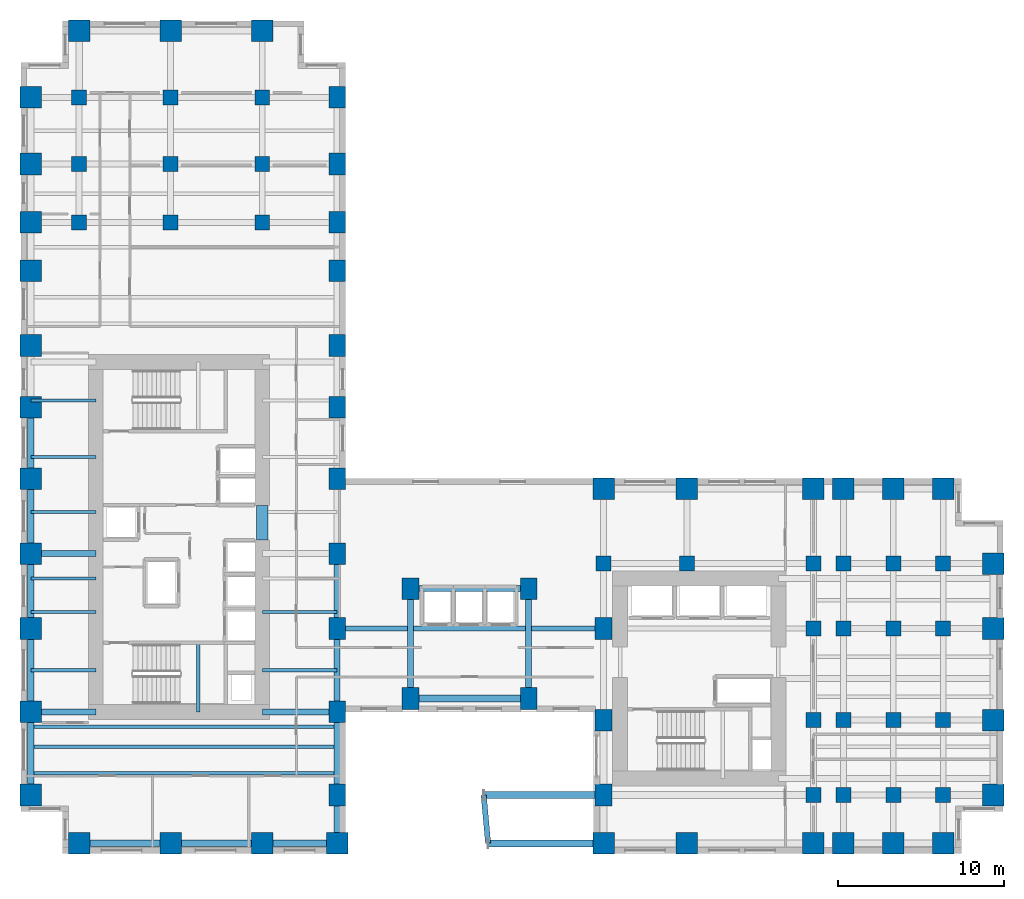
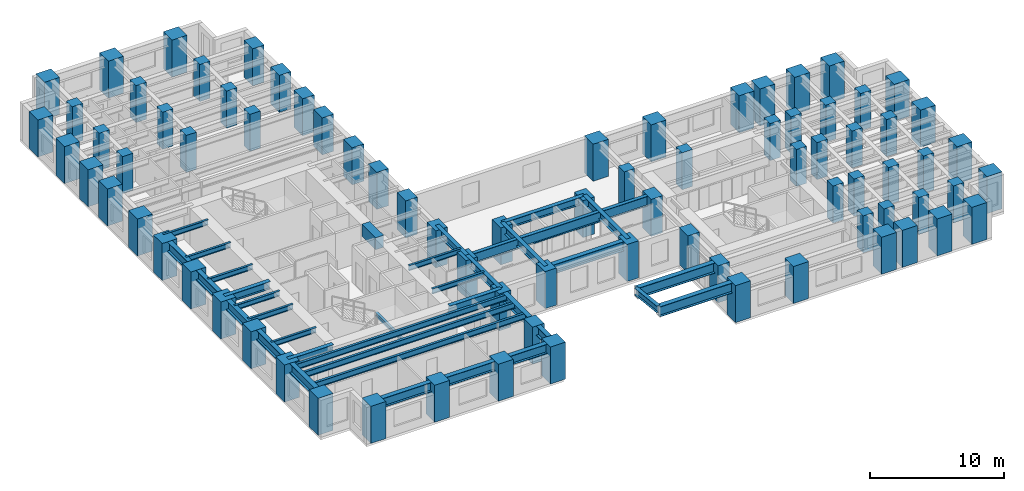
# One storey, part 1 of 14: 79 columns, 36 beams.
"""IFC4 building model written with IfcOpenShell, lengths in metres."""

import ifcopenshell
import ifcopenshell.guid

model = None  # the IFC model being written
_history = None  # IfcOwnerHistory: only IFC2X3 demands one
_inside = {}  # id of a spatial element -> (the spatial element, [elements in it])
_under = {}  # id of a project, library or spatial element -> (it, [spatial elements below it])
_declared = {}  # id of a project -> (the project, [libraries it declares])
_typed = {}  # id of a type object -> (the type object, [elements of that type])
_made_of = {}  # id of a material, layer set ... -> (it, [elements and type objects made of it])


def new_model(schema):
    """Start an empty IFC model of exactly this schema.

    Asked for "IFC4X3", IfcOpenShell would pick the latest addendum, in which some entities
    have other attributes; the version numbers below select the first issue.
    IFC2X3 requires an IfcOwnerHistory on every rooted entity: one is made here for all.
    """
    global model, _history
    if schema == "IFC4X3":
        model = ifcopenshell.file(schema_version=(4, 3, 0, 0))
    else:
        model = ifcopenshell.file(schema=schema)
    _inside.clear()
    _under.clear()
    _declared.clear()
    _typed.clear()
    _made_of.clear()
    _history = None
    if model.schema == "IFC2X3":
        org = make("IfcOrganization", Name="unknown")
        user = make(
            "IfcPersonAndOrganization",
            ThePerson=make("IfcPerson", FamilyName="unknown"),
            TheOrganization=org,
        )
        app = make(
            "IfcApplication",
            ApplicationDeveloper=org,
            Version="unknown",
            ApplicationFullName="unknown",
            ApplicationIdentifier="unknown",
        )
        _history = make(
            "IfcOwnerHistory",
            OwningUser=user,
            OwningApplication=app,
            ChangeAction="ADDED",
            CreationDate=0,
        )
    return model


def make(cls, **values):
    """One entity of the class cls with the attributes given. An attribute that is None is left unset."""
    return model.create_entity(
        cls, **{name: value for name, value in values.items() if value is not None}
    )


def rooted(cls, **values):
    """An entity with a GlobalId (a new one), such as an element, a storey or a relation."""
    return make(cls, GlobalId=ifcopenshell.guid.new(), OwnerHistory=_history, **values)


def si_unit(unit_type, name, prefix=None):
    """IfcSIUnit, for example si_unit("LENGTHUNIT", "METRE", prefix="MILLI")."""
    return make("IfcSIUnit", UnitType=unit_type, Prefix=prefix, Name=name)


def assignment(units):
    """IfcUnitAssignment: the units of a project."""
    return None if units is None else make("IfcUnitAssignment", Units=units)


def point(xyz):
    """IfcCartesianPoint."""
    return None if xyz is None else make("IfcCartesianPoint", Coordinates=xyz)


def direction(xyz):
    """IfcDirection."""
    return None if xyz is None else make("IfcDirection", DirectionRatios=xyz)


def frame(location, z_axis=None, x_axis=None):
    """IfcAxis2Placement3D, a coordinate frame: its origin and axes. An axis left out is left unset."""
    return make(
        "IfcAxis2Placement3D",
        Location=point(location),
        Axis=direction(z_axis),
        RefDirection=direction(x_axis),
    )


def frame_2d(location, x_axis=None):
    """IfcAxis2Placement2D, a coordinate frame in the plane: its origin and x axis."""
    return make(
        "IfcAxis2Placement2D", Location=point(location), RefDirection=direction(x_axis)
    )


def origin():
    """The frame at (0, 0, 0) with its axes left unset."""
    return frame((0.0, 0.0, 0.0))


def origin_2d():
    """The frame at (0, 0) in the plane with its x axis left unset."""
    return frame_2d((0.0, 0.0))


def place(relative_to, where):
    """IfcLocalPlacement: puts the frame where relative to a parent placement (None: the world)."""
    return make(
        "IfcLocalPlacement", PlacementRelTo=relative_to, RelativePlacement=where
    )


def context(
    kind, dimensions, precision=None, world=None, true_north=None, identifier=None
):
    """IfcGeometricRepresentationContext, for example the 3D "Model" context."""
    return make(
        "IfcGeometricRepresentationContext",
        ContextIdentifier=identifier,
        ContextType=kind,
        CoordinateSpaceDimension=dimensions,
        Precision=precision,
        WorldCoordinateSystem=world,
        TrueNorth=true_north,
    )


def subcontext(parent, identifier, kind, view, scale=None):
    """IfcGeometricRepresentationSubContext, for example "Body" below "Model"."""
    return make(
        "IfcGeometricRepresentationSubContext",
        ContextIdentifier=identifier,
        ContextType=kind,
        ParentContext=parent,
        TargetScale=scale,
        TargetView=view,
    )


def project(units=None, contexts=None):
    """IfcProject with its units and contexts."""
    return rooted(
        "IfcProject",
        Name="project",
        RepresentationContexts=contexts,
        UnitsInContext=assignment(units),
    )


def spatial(cls, under=None, at=None, **own):
    """A site, building, storey or space (cls), placed at a placement, below another one or the project."""
    s = rooted(cls, ObjectPlacement=at, **own)
    if under is not None:
        _under.setdefault(under.id(), (under, []))[1].append(s)
    return s


def profile(cls, at=None, kind="AREA", **sizes):
    """A parametric profile (cls). Its sizes go by their IFC names, for example OverallWidth=200.0."""
    return make(cls, ProfileType=kind, Position=at, **sizes)


def rectangle(**sizes):
    """IfcRectangleProfileDef."""
    return profile("IfcRectangleProfileDef", **sizes)


def i_section(**sizes):
    """IfcIShapeProfileDef."""
    return profile("IfcIShapeProfileDef", **sizes)


def extrude(swept, where, along, depth):
    """IfcExtrudedAreaSolid: the profile swept, set in the frame where, extruded along a direction by depth."""
    return make(
        "IfcExtrudedAreaSolid",
        SweptArea=swept,
        Position=where,
        ExtrudedDirection=direction(along),
        Depth=depth,
    )


def shape(context_of_items, identifier, shape_type, items):
    """IfcShapeRepresentation: the items that make up one representation, for example the "Body"."""
    return make(
        "IfcShapeRepresentation",
        ContextOfItems=context_of_items,
        RepresentationIdentifier=identifier,
        RepresentationType=shape_type,
        Items=items,
    )


def source(mapping_origin, context_of_items, identifier, shape_type, items):
    """IfcRepresentationMap: a shape defined once, which mapped items show again and again."""
    return make(
        "IfcRepresentationMap",
        MappingOrigin=mapping_origin,
        MappedRepresentation=shape(context_of_items, identifier, shape_type, items),
    )


def transform(
    local_origin,
    x_axis=None,
    y_axis=None,
    z_axis=None,
    scale=None,
    scale2=None,
    scale3=None,
    uniform=True,
):
    """IfcCartesianTransformationOperator3D, or its non-uniform kind. x_axis, y_axis, z_axis: its Axis1, 2, 3."""
    if uniform:
        return make(
            "IfcCartesianTransformationOperator3D",
            Axis1=direction(x_axis),
            Axis2=direction(y_axis),
            LocalOrigin=point(local_origin),
            Scale=scale,
            Axis3=direction(z_axis),
        )
    return make(
        "IfcCartesianTransformationOperator3DnonUniform",
        Axis1=direction(x_axis),
        Axis2=direction(y_axis),
        LocalOrigin=point(local_origin),
        Scale=scale,
        Axis3=direction(z_axis),
        Scale2=scale2,
        Scale3=scale3,
    )


def mapped(mapping_source, mapping_target):
    """IfcMappedItem: shows the shape of a source again, moved by a transform."""
    return make(
        "IfcMappedItem", MappingSource=mapping_source, MappingTarget=mapping_target
    )


def material(Name=None, Category=None):
    """IfcMaterial."""
    return make("IfcMaterial", Name=Name, Category=Category)


def material_profile(
    of_material, cross_section, Name=None, Category=None, Priority=None
):
    """IfcMaterialProfile: a cross section and its material."""
    return make(
        "IfcMaterialProfile",
        Name=Name,
        Material=of_material,
        Profile=cross_section,
        Priority=Priority,
        Category=Category,
    )


def profile_set(profiles, Name=None, composite=None):
    """IfcMaterialProfileSet."""
    return make(
        "IfcMaterialProfileSet",
        Name=Name,
        MaterialProfiles=profiles,
        CompositeProfile=composite,
    )


def made_of(thing, what):
    """Note that an element or type object is made of a material, layer set ...; save() writes the relation."""
    if what is not None:
        _made_of.setdefault(what.id(), (what, []))[1].append(thing)
    return thing


def type_object(cls, material=None, **own):
    """A type object (cls), such as IfcWallType, which elements share."""
    return made_of(rooted(cls, **own), material)


def element(
    cls,
    number,
    at=None,
    inside=None,
    cuts=None,
    type_object=None,
    material=None,
    context=None,
    identifier="Body",
    shape_type=None,
    held_by="IfcProductDefinitionShape",
    body=None,
    shapes=None,
    **own,
):
    """One element of the class cls, such as IfcWall. Its Tag is "e" and its number.

    at: its placement. inside: the storey or other place that contains it. cuts: it is an
    opening in that element (IfcRelVoidsElement). A single representation is given by context,
    identifier, shape_type and body (its items); several are given by shapes. held_by: the class
    of the entity that holds the representations. save() writes the other relations.
    """
    e = rooted(cls, Tag="e%d" % number, ObjectPlacement=at, **own)
    if body is not None:
        shapes = [shape(context, identifier, shape_type, body)]
    if shapes is not None:
        e.Representation = make(held_by, Representations=shapes)
    if inside is not None:
        _inside.setdefault(inside.id(), (inside, []))[1].append(e)
    if cuts is not None:
        rooted(
            "IfcRelVoidsElement", RelatingBuildingElement=cuts, RelatedOpeningElement=e
        )
    if type_object is not None:
        _typed.setdefault(type_object.id(), (type_object, []))[1].append(e)
    return made_of(e, material)


def aggregate(whole, parts):
    """IfcRelAggregates: a whole, such as a stair, and the parts it consists of."""
    return rooted("IfcRelAggregates", RelatingObject=whole, RelatedObjects=parts)


def save(model, path):
    """Write the relations noted so far, then the file.

    IfcRelAggregates (storeys below a building ...), IfcRelContainedInSpatialStructure (elements
    in a storey), IfcRelDefinesByType, IfcRelAssociatesMaterial and IfcRelDeclares: one each for
    every whole, place, type object, material and project.
    """
    for whole, parts in _under.values():
        aggregate(whole, parts)
    for where, things in _inside.values():
        rooted(
            "IfcRelContainedInSpatialStructure",
            RelatedElements=things,
            RelatingStructure=where,
        )
    for kind, things in _typed.values():
        rooted("IfcRelDefinesByType", RelatedObjects=things, RelatingType=kind)
    for what, things in _made_of.values():
        rooted("IfcRelAssociatesMaterial", RelatedObjects=things, RelatingMaterial=what)
    for by, libraries in _declared.values():
        rooted("IfcRelDeclares", RelatingContext=by, RelatedDefinitions=libraries)
    model.write(path)


model = new_model("IFC4")

# Units and contexts
model_context = context("Model", 3, precision=1e-05, world=origin(), true_north=direction((0.0, 1.0)))
body_context = subcontext(model_context, "Body", "Model", "MODEL_VIEW")
ifc_project = project(units=[si_unit("LENGTHUNIT", "METRE"), si_unit("AREAUNIT", "SQUARE_METRE"), si_unit("VOLUMEUNIT", "CUBIC_METRE"), si_unit("PLANEANGLEUNIT", "RADIAN"), si_unit("MASSUNIT", "GRAM", prefix="KILO")], contexts=[model_context])

# Site, building, storey
site_placement = place(None, origin())
site = spatial("IfcSite", under=ifc_project, at=site_placement, CompositionType="ELEMENT")
building_placement = place(site_placement, origin())
building = spatial("IfcBuilding", under=site, at=building_placement, Name="Kharzan Plaza Tower", CompositionType="ELEMENT")
storey_placement = place(building_placement, frame((0.0, 0.0, 44.10009765625)))
storey = spatial("IfcBuildingStorey", under=building, at=storey_placement, Name="L11", CompositionType="ELEMENT", Elevation=44.10009765625)

# Columns
ifc_material_1 = material(Name="Concrete C50/60", Category="concrete")
ifc_material_profile_1 = material_profile(ifc_material_1, rectangle(XDim=0.89990234375, YDim=0.89990234375, at=origin_2d()), Name="RC-IC900x900")
ifc_profile_set_1 = profile_set([ifc_material_profile_1], Name="Concrete C50/60")
column_type_1 = type_object("IfcColumnType", Name="COL-IC900", PredefinedType="COLUMN", material=ifc_profile_set_1)
shared_shape_1 = source(origin(), body_context, "Body", "SweptSolid", [
    extrude(rectangle(XDim=0.89990234375, YDim=0.89990234375, at=origin_2d()), origin(), (0.0, 0.0, 1.0), 3.3798828125),
])
for number, where, z_axis, x_axis, name in (
    (1, (47.60009765625, 13.5, 0.0), (0.0, 0.0, 1.0), (1.0, 0.0, 0.0), "L11 Structural Column TCBI-135"),
    (2, (47.60009765625, 3.5, 0.0), (0.0, 0.0, 1.0), (1.0, 0.0, 0.0), "L11 Structural Column TCBI-35"),
    (3, (47.60009765625, 8.0, 0.0), (0.0, 0.0, 1.0), (1.0, 0.0, 0.0), "L11 Structural Column TCBI-80"),
    (4, (35.0, 17.39990234375, 0.0), (0.0, 0.0, 1.0), (1.0, 0.0, 0.0), "L11 Structural Column TCBN-350-174"),
    (5, (40.0, 17.39990234375, 0.0), (0.0, 0.0, 1.0), (1.0, 0.0, 0.0), "L11 Structural Column TCBN-400-174"),
    (6, (47.60009765625, 17.39990234375, 0.0), (0.0, 0.0, 1.0), (1.0, 0.0, 0.0), "L11 Structural Column TCBN-476-174"),
    (7, (49.39990234375, 13.5, 0.0), (0.0, 0.0, 1.0), (1.0, 0.0, 0.0), "L11 Structural Column TCE-494-135"),
    (8, (49.39990234375, 17.39990234375, 0.0), (0.0, 0.0, 1.0), (1.0, 0.0, 0.0), "L11 Structural Column TCE-494-174"),
    (9, (49.39990234375, 3.5, 0.0), (0.0, 0.0, 1.0), (1.0, 0.0, 0.0), "L11 Structural Column TCE-494-35"),
    (10, (49.39990234375, 8.0, 0.0), (0.0, 0.0, 1.0), (1.0, 0.0, 0.0), "L11 Structural Column TCE-494-80"),
    (11, (52.39990234375, 13.5, 0.0), (0.0, 0.0, 1.0), (1.0, 0.0, 0.0), "L11 Structural Column TCE-524-135"),
    (12, (52.39990234375, 17.39990234375, 0.0), (0.0, 0.0, 1.0), (1.0, 0.0, 0.0), "L11 Structural Column TCE-524-174"),
    (13, (52.39990234375, 3.5, 0.0), (0.0, 0.0, 1.0), (1.0, 0.0, 0.0), "L11 Structural Column TCE-524-35"),
    (14, (52.39990234375, 8.0, 0.0), (0.0, 0.0, 1.0), (1.0, 0.0, 0.0), "L11 Structural Column TCE-524-80"),
    (15, (55.39990234375, 13.5, 0.0), (0.0, 0.0, 1.0), (1.0, 0.0, 0.0), "L11 Structural Column TCE-554-135"),
    (16, (55.39990234375, 17.39990234375, 0.0), (0.0, 0.0, 1.0), (1.0, 0.0, 0.0), "L11 Structural Column TCE-554-174"),
    (17, (55.39990234375, 3.5, 0.0), (0.0, 0.0, 1.0), (1.0, 0.0, 0.0), "L11 Structural Column TCE-554-35"),
    (18, (55.39990234375, 8.0, 0.0), (0.0, 0.0, 1.0), (1.0, 0.0, 0.0), "L11 Structural Column TCE-554-80"),
    (19, (14.5, 37.89990234375, 0.0), (0.0, 0.0, 1.0), (1.0, 0.0, 0.0), "L11 Structural Column TCN-145-379"),
    (20, (14.5, 41.39990234375, 0.0), (0.0, 0.0, 1.0), (1.0, 0.0, 0.0), "L11 Structural Column TCN-145-414"),
    (21, (14.5, 45.39990234375, 0.0), (0.0, 0.0, 1.0), (1.0, 0.0, 0.0), "L11 Structural Column TCN-145-454"),
    (22, (3.5, 37.89990234375, 0.0), (0.0, 0.0, 1.0), (1.0, 0.0, 0.0), "L11 Structural Column TCN-35-379"),
    (23, (3.5, 41.39990234375, 0.0), (0.0, 0.0, 1.0), (1.0, 0.0, 0.0), "L11 Structural Column TCN-35-414"),
    (24, (3.5, 45.39990234375, 0.0), (0.0, 0.0, 1.0), (1.0, 0.0, 0.0), "L11 Structural Column TCN-35-454"),
    (25, (9.0, 37.89990234375, 0.0), (0.0, 0.0, 1.0), (1.0, 0.0, 0.0), "L11 Structural Column TCN-90-379"),
    (26, (9.0, 41.39990234375, 0.0), (0.0, 0.0, 1.0), (1.0, 0.0, 0.0), "L11 Structural Column TCN-90-414"),
    (27, (9.0, 45.39990234375, 0.0), (0.0, 0.0, 1.0), (1.0, 0.0, 0.0), "L11 Structural Column TCN-90-454"),
):
    element("IfcColumn", number, at=place(storey_placement, frame(where, z_axis=z_axis, x_axis=x_axis)), inside=storey, type_object=column_type_1, Name=name, PredefinedType="COLUMN", context=body_context, shape_type="MappedRepresentation", body=[
        mapped(shared_shape_1, transform((0.0, 0.0, 0.0), x_axis=(1.0, 0.0, 0.0), y_axis=(0.0, 1.0, 0.0), z_axis=(0.0, 0.0, 1.0))),
    ])
ifc_material_2 = material(Name="Concrete C60/75", Category="concrete")
ifc_material_profile_2 = material_profile(ifc_material_2, rectangle(XDim=1.0, YDim=1.300048828125, at=origin_2d()), Name="RC-SC1300x1000")
ifc_profile_set_2 = profile_set([ifc_material_profile_2], Name="Concrete C60/75")
column_type_2 = type_object("IfcColumnType", Name="COL-SC1300", PredefinedType="COLUMN", material=ifc_profile_set_2)
shared_shape_2 = source(origin(), body_context, "Body", "SweptSolid", [
    extrude(rectangle(XDim=1.0, YDim=1.300048828125, at=origin_2d()), origin(), (0.0, 0.0, 1.0), 3.3798828125),
])
for number, where, z_axis, x_axis, name in (
    (28, (19.0, 13.5, 0.0), (0.0, 0.0, 1.0), (1.0, 0.0, 0.0), "L11 Structural Column TCA-135"),
    (29, (19.0, 18.0, 0.0), (0.0, 0.0, 1.0), (1.0, 0.0, 0.0), "L11 Structural Column TCA-180"),
    (30, (19.0, 22.5, 0.0), (0.0, 0.0, 1.0), (1.0, 0.0, 0.0), "L11 Structural Column TCA-225"),
    (31, (19.0, 26.800048828125, 0.0), (0.0, 0.0, 1.0), (1.0, 0.0, 0.0), "L11 Structural Column TCA-268"),
    (32, (19.0, 30.5, 0.0), (0.0, 0.0, 1.0), (1.0, 0.0, 0.0), "L11 Structural Column TCA-305"),
    (33, (19.0, 3.5, 0.0), (0.0, 0.0, 1.0), (1.0, 0.0, 0.0), "L11 Structural Column TCA-35"),
    (34, (19.0, 35.0, 0.0), (0.0, 0.0, 1.0), (1.0, 0.0, 0.0), "L11 Structural Column TCA-350"),
    (35, (19.0, 37.89990234375, 0.0), (0.0, 0.0, 1.0), (1.0, 0.0, 0.0), "L11 Structural Column TCA-379"),
    (36, (19.0, 41.39990234375, 0.0), (0.0, 0.0, 1.0), (1.0, 0.0, 0.0), "L11 Structural Column TCA-414"),
    (37, (19.0, 45.39990234375, 0.0), (0.0, 0.0, 1.0), (1.0, 0.0, 0.0), "L11 Structural Column TCA-454"),
    (38, (19.0, 8.5, 0.0), (0.0, 0.0, 1.0), (1.0, 0.0, 0.0), "L11 Structural Column TCA-85"),
    (39, (35.0, 13.5, 0.0), (0.0, 0.0, 1.0), (1.0, 0.0, 0.0), "L11 Structural Column TCBS-135"),
    (40, (35.0, 3.5, 0.0), (0.0, 0.0, 1.0), (1.0, 0.0, 0.0), "L11 Structural Column TCBS-35"),
    (41, (35.0, 8.0, 0.0), (0.0, 0.0, 1.0), (1.0, 0.0, 0.0), "L11 Structural Column TCBS-80"),
    (42, (23.39990234375, 15.89990234375, 0.0), (0.0, 0.0, 1.0), (1.0, 0.0, 0.0), "L11 Structural Column TCSP-234-159"),
    (43, (23.39990234375, 9.300048828125, 0.0), (0.0, 0.0, 1.0), (1.0, 0.0, 0.0), "L11 Structural Column TCSP-234-93"),
    (44, (30.5, 15.89990234375, 0.0), (0.0, 0.0, 1.0), (1.0, 0.0, 0.0), "L11 Structural Column TCSP-305-159"),
    (45, (30.5, 9.300048828125, 0.0), (0.0, 0.0, 1.0), (1.0, 0.0, 0.0), "L11 Structural Column TCSP-305-93"),
):
    element("IfcColumn", number, at=place(storey_placement, frame(where, z_axis=z_axis, x_axis=x_axis)), inside=storey, type_object=column_type_2, Name=name, PredefinedType="COLUMN", context=body_context, shape_type="MappedRepresentation", body=[
        mapped(shared_shape_2, transform((0.0, 0.0, 0.0), x_axis=(1.0, 0.0, 0.0), y_axis=(0.0, 1.0, 0.0), z_axis=(0.0, 0.0, 1.0))),
    ])
ifc_material_profile_3 = material_profile(ifc_material_2, rectangle(XDim=1.300048828125, YDim=1.300048828125, at=origin_2d()), Name="RC-TC1300x1300")
ifc_profile_set_3 = profile_set([ifc_material_profile_3], Name="Concrete C60/75")
column_type_3 = type_object("IfcColumnType", Name="COL-TC1300", PredefinedType="COLUMN", material=ifc_profile_set_3)
shared_shape_3 = source(origin(), body_context, "Body", "SweptSolid", [
    extrude(rectangle(XDim=1.300048828125, YDim=1.300048828125, at=origin_2d()), origin(), (0.0, 0.0, 1.0), 3.3798828125),
])
for number, where, z_axis, x_axis, name in (
    (46, (35.0, 21.89990234375, 0.0), (0.0, 0.0, 1.0), (1.0, 0.0, 0.0), "L11 Structural Column TCBN-350-219"),
    (47, (40.0, 21.89990234375, 0.0), (0.0, 0.0, 1.0), (1.0, 0.0, 0.0), "L11 Structural Column TCBN-400-219"),
    (48, (47.60009765625, 21.89990234375, 0.0), (0.0, 0.0, 1.0), (1.0, 0.0, 0.0), "L11 Structural Column TCBN-476-219"),
    (49, (49.39990234375, 21.89990234375, 0.0), (0.0, 0.0, 1.0), (1.0, 0.0, 0.0), "L11 Structural Column TCBN-494-219"),
    (50, (52.39990234375, 21.89990234375, 0.0), (0.0, 0.0, 1.0), (1.0, 0.0, 0.0), "L11 Structural Column TCBN-524-219"),
    (51, (55.39990234375, 21.89990234375, 0.0), (0.0, 0.0, 1.0), (1.0, 0.0, 0.0), "L11 Structural Column TCBN-554-219"),
    (52, (58.39990234375, 13.5, 0.0), (0.0, 0.0, 1.0), (1.0, 0.0, 0.0), "L11 Structural Column TCE-584-135"),
    (53, (58.39990234375, 17.39990234375, 0.0), (0.0, 0.0, 1.0), (1.0, 0.0, 0.0), "L11 Structural Column TCE-584-174"),
    (54, (58.39990234375, 3.5, 0.0), (0.0, 0.0, 1.0), (1.0, 0.0, 0.0), "L11 Structural Column TCE-584-35"),
    (55, (58.39990234375, 8.0, 0.0), (0.0, 0.0, 1.0), (1.0, 0.0, 0.0), "L11 Structural Column TCE-584-80"),
    (56, (14.5, 49.39990234375, 0.0), (0.0, 0.0, 1.0), (1.0, 0.0, 0.0), "L11 Structural Column TCN-145-494"),
    (57, (3.5, 49.39990234375, 0.0), (0.0, 0.0, 1.0), (1.0, 0.0, 0.0), "L11 Structural Column TCN-35-494"),
    (58, (9.0, 49.39990234375, 0.0), (0.0, 0.0, 1.0), (1.0, 0.0, 0.0), "L11 Structural Column TCN-90-494"),
    (59, (14.5, 0.60009765625, 0.0), (0.0, 0.0, 1.0), (1.0, 0.0, 0.0), "L11 Structural Column TCS-145"),
    (60, (19.0, 0.60009765625, 0.0), (0.0, 0.0, 1.0), (1.0, 0.0, 0.0), "L11 Structural Column TCS-190"),
    (61, (3.5, 0.60009765625, 0.0), (0.0, 0.0, 1.0), (1.0, 0.0, 0.0), "L11 Structural Column TCS-35"),
    (62, (35.0, 0.60009765625, 0.0), (0.0, 0.0, 1.0), (1.0, 0.0, 0.0), "L11 Structural Column TCS-350"),
    (63, (40.0, 0.60009765625, 0.0), (0.0, 0.0, 1.0), (1.0, 0.0, 0.0), "L11 Structural Column TCS-400"),
    (64, (47.60009765625, 0.60009765625, 0.0), (0.0, 0.0, 1.0), (1.0, 0.0, 0.0), "L11 Structural Column TCS-476"),
    (65, (49.39990234375, 0.60009765625, 0.0), (0.0, 0.0, 1.0), (1.0, 0.0, 0.0), "L11 Structural Column TCS-494"),
    (66, (52.39990234375, 0.60009765625, 0.0), (0.0, 0.0, 1.0), (1.0, 0.0, 0.0), "L11 Structural Column TCS-524"),
    (67, (55.39990234375, 0.60009765625, 0.0), (0.0, 0.0, 1.0), (1.0, 0.0, 0.0), "L11 Structural Column TCS-554"),
    (68, (9.0, 0.60009765625, 0.0), (0.0, 0.0, 1.0), (1.0, 0.0, 0.0), "L11 Structural Column TCS-90"),
    (69, (0.60009765625, 13.5, 0.0), (0.0, 0.0, 1.0), (1.0, 0.0, 0.0), "L11 Structural Column TCW-135"),
    (70, (0.60009765625, 18.0, 0.0), (0.0, 0.0, 1.0), (1.0, 0.0, 0.0), "L11 Structural Column TCW-180"),
    (71, (0.60009765625, 22.5, 0.0), (0.0, 0.0, 1.0), (1.0, 0.0, 0.0), "L11 Structural Column TCW-225"),
    (72, (0.60009765625, 26.800048828125, 0.0), (0.0, 0.0, 1.0), (1.0, 0.0, 0.0), "L11 Structural Column TCW-268"),
    (73, (0.60009765625, 30.5, 0.0), (0.0, 0.0, 1.0), (1.0, 0.0, 0.0), "L11 Structural Column TCW-305"),
    (74, (0.60009765625, 3.5, 0.0), (0.0, 0.0, 1.0), (1.0, 0.0, 0.0), "L11 Structural Column TCW-35"),
    (75, (0.60009765625, 35.0, 0.0), (0.0, 0.0, 1.0), (1.0, 0.0, 0.0), "L11 Structural Column TCW-350"),
    (76, (0.60009765625, 37.89990234375, 0.0), (0.0, 0.0, 1.0), (1.0, 0.0, 0.0), "L11 Structural Column TCW-379"),
    (77, (0.60009765625, 41.39990234375, 0.0), (0.0, 0.0, 1.0), (1.0, 0.0, 0.0), "L11 Structural Column TCW-414"),
    (78, (0.60009765625, 45.39990234375, 0.0), (0.0, 0.0, 1.0), (1.0, 0.0, 0.0), "L11 Structural Column TCW-454"),
    (79, (0.60009765625, 8.5, 0.0), (0.0, 0.0, 1.0), (1.0, 0.0, 0.0), "L11 Structural Column TCW-85"),
):
    element("IfcColumn", number, at=place(storey_placement, frame(where, z_axis=z_axis, x_axis=x_axis)), inside=storey, type_object=column_type_3, Name=name, PredefinedType="COLUMN", context=body_context, shape_type="MappedRepresentation", body=[
        mapped(shared_shape_3, transform((0.0, 0.0, 0.0), x_axis=(1.0, 0.0, 0.0), y_axis=(0.0, 1.0, 0.0), z_axis=(0.0, 0.0, 1.0))),
    ])

# Beams
ifc_material_profile_4 = material_profile(ifc_material_2, rectangle(XDim=0.699951171875, YDim=1.10009765625, at=origin_2d()), Name="RC-CB1100x700")
ifc_profile_set_4 = profile_set([ifc_material_profile_4], Name="Concrete C60/75")
beam_type_1 = type_object("IfcBeamType", Name="BM-RCCB1100", PredefinedType="LINTEL", material=ifc_profile_set_4)
shared_shape_4 = source(origin(), body_context, "Body", "SweptSolid", [
    extrude(rectangle(XDim=0.699951171875, YDim=1.10009765625, at=origin_2d()), origin(), (0.0, 0.0, 1.0), 2.059814453125),
])
beam_1_placement = place(storey_placement, frame((14.5, 18.820068359375, 2.829833984375), z_axis=(0.0, 1.0, 0.0), x_axis=(-1.0, 0.0, 0.0)))
element("IfcBeam", 80, at=beam_1_placement, inside=storey, type_object=beam_type_1, Name="L11 CORE-A RC coupling beam CB1", PredefinedType="LINTEL", context=body_context, shape_type="MappedRepresentation", body=[
    mapped(shared_shape_4, transform((0.0, 0.0, 0.0), x_axis=(1.0, 0.0, 0.0), y_axis=(0.0, 1.0, 0.0), z_axis=(0.0, 0.0, 1.0))),
])
ifc_material_3 = material(Name="Steel S355", Category="steel")
ifc_material_profile_5 = material_profile(ifc_material_3, i_section(OverallWidth=0.205078125, OverallDepth=0.35400390625, WebThickness=0.009521484375, FlangeThickness=0.016845703125, at=origin_2d()), Name="W360x79")
ifc_profile_set_5 = profile_set([ifc_material_profile_5], Name="Steel S355")
beam_type_2 = type_object("IfcBeamType", Name="BM-LNT360", PredefinedType="LINTEL", material=ifc_profile_set_5)
shared_shape_5 = source(origin(), body_context, "Body", "SweptSolid", [
    extrude(i_section(OverallWidth=0.205078125, OverallDepth=0.35400390625, WebThickness=0.009521484375, FlangeThickness=0.016845703125, at=origin_2d()), origin(), (0.0, 0.0, 1.0), 4.155029296875),
])
beam_2_placement = place(storey_placement, frame((10.64990234375, 8.5, 1.4228515625), z_axis=(0.0, 1.0, 0.0), x_axis=(-1.0, 0.0, 0.0)))
element("IfcBeam", 81, at=beam_2_placement, inside=storey, type_object=beam_type_2, Name="L11 Stair ST-1 Half-Landing Beam", PredefinedType="LINTEL", context=body_context, shape_type="MappedRepresentation", body=[
    mapped(shared_shape_5, transform((0.0, 0.0, 0.0), x_axis=(1.0, 0.0, 0.0), y_axis=(0.0, 1.0, 0.0), z_axis=(0.0, 0.0, 1.0))),
])
ifc_material_profile_6 = material_profile(ifc_material_3, i_section(OverallWidth=0.304931640625, OverallDepth=0.9189453125, WebThickness=0.017333984375, FlangeThickness=0.02783203125, at=origin_2d()), Name="W920x253")
ifc_profile_set_6 = profile_set([ifc_material_profile_6], Name="Steel S355")
beam_type_3 = type_object("IfcBeamType", Name="BM-FG920B", PredefinedType="BEAM", material=ifc_profile_set_6)
shared_shape_6 = source(origin(), body_context, "Body", "SweptSolid", [
    extrude(i_section(OverallWidth=0.304931640625, OverallDepth=0.9189453125, WebThickness=0.017333984375, FlangeThickness=0.02783203125, at=origin_2d()), origin(), (0.0, 0.0, 1.0), 16.0),
])
beam_3_placement = place(storey_placement, frame((19.0, 13.5, 2.92041015625), z_axis=(1.0, 0.0, 0.0), x_axis=(0.0, 1.0, 0.0)))
element("IfcBeam", 82, at=beam_3_placement, inside=storey, type_object=beam_type_3, Name="L11 Primary Floor Girder", PredefinedType="BEAM", context=body_context, shape_type="MappedRepresentation", body=[
    mapped(shared_shape_6, transform((0.0, 0.0, 0.0), x_axis=(1.0, 0.0, 0.0), y_axis=(0.0, 1.0, 0.0), z_axis=(0.0, 0.0, 1.0))),
])
ifc_material_profile_7 = material_profile(ifc_material_3, i_section(OverallWidth=0.35498046875, OverallDepth=0.695068359375, WebThickness=0.015380859375, FlangeThickness=0.02490234375, at=origin_2d()), Name="W690x217")
ifc_profile_set_7 = profile_set([ifc_material_profile_7], Name="Steel S355")
beam_type_4 = type_object("IfcBeamType", Name="BM-FG690A", PredefinedType="BEAM", material=ifc_profile_set_7)
shared_shape_7 = source(origin(), body_context, "Body", "SweptSolid", [
    extrude(i_section(OverallWidth=0.35498046875, OverallDepth=0.695068359375, WebThickness=0.015380859375, FlangeThickness=0.02490234375, at=origin_2d()), origin(), (0.0, 0.0, 1.0), 4.5),
])
for number, where, z_axis, x_axis, name in (
    (83, (14.5, 8.5, 3.032470703125), (1.0, 0.0, 0.0), (0.0, 1.0, 0.0), "L11 Core-A East Floor Girder 1"),
    (84, (19.0, 13.5, 3.032470703125), (0.0, 1.0, 0.0), (-1.0, 0.0, 0.0), "L11 Interior Frame Girder"),
):
    element("IfcBeam", number, at=place(storey_placement, frame(where, z_axis=z_axis, x_axis=x_axis)), inside=storey, type_object=beam_type_4, Name=name, PredefinedType="BEAM", context=body_context, shape_type="MappedRepresentation", body=[
        mapped(shared_shape_7, transform((0.0, 0.0, 0.0), x_axis=(1.0, 0.0, 0.0), y_axis=(0.0, 1.0, 0.0), z_axis=(0.0, 0.0, 1.0))),
    ])
shared_shape_8 = source(origin(), body_context, "Body", "SweptSolid", [
    extrude(i_section(OverallWidth=0.35498046875, OverallDepth=0.695068359375, WebThickness=0.015380859375, FlangeThickness=0.02490234375, at=origin_2d()), origin(), (0.0, 0.0, 1.0), 3.89990234375),
])
for number, where, z_axis, x_axis, name in (
    (85, (0.60009765625, 8.5, 3.032470703125), (1.0, 0.0, 0.0), (0.0, 1.0, 0.0), "L11 Core-A West Floor Girder 1"),
    (86, (0.60009765625, 18.0, 3.032470703125), (1.0, 0.0, 0.0), (0.0, 1.0, 0.0), "L11 Core-A West Floor Girder 2"),
):
    element("IfcBeam", number, at=place(storey_placement, frame(where, z_axis=z_axis, x_axis=x_axis)), inside=storey, type_object=beam_type_4, Name=name, PredefinedType="BEAM", context=body_context, shape_type="MappedRepresentation", body=[
        mapped(shared_shape_8, transform((0.0, 0.0, 0.0), x_axis=(1.0, 0.0, 0.0), y_axis=(0.0, 1.0, 0.0), z_axis=(0.0, 0.0, 1.0))),
    ])
shared_shape_9 = source(origin(), body_context, "Body", "SweptSolid", [
    extrude(i_section(OverallWidth=0.35498046875, OverallDepth=0.695068359375, WebThickness=0.015380859375, FlangeThickness=0.02490234375, at=origin_2d()), origin(), (0.0, 0.0, 1.0), 5.0),
])
beam_4_placement = place(storey_placement, frame((19.0, 8.5, 3.032470703125), z_axis=(0.0, 1.0, 0.0), x_axis=(-1.0, 0.0, 0.0)))
element("IfcBeam", 87, at=beam_4_placement, inside=storey, type_object=beam_type_4, Name="L11 Interior Frame Girder", PredefinedType="BEAM", context=body_context, shape_type="MappedRepresentation", body=[
    mapped(shared_shape_9, transform((0.0, 0.0, 0.0), x_axis=(1.0, 0.0, 0.0), y_axis=(0.0, 1.0, 0.0), z_axis=(0.0, 0.0, 1.0))),
])
shared_shape_10 = source(origin(), body_context, "Body", "SweptSolid", [
    extrude(i_section(OverallWidth=0.35498046875, OverallDepth=0.695068359375, WebThickness=0.015380859375, FlangeThickness=0.02490234375, at=origin_2d()), origin(), (0.0, 0.0, 1.0), 6.599853515625),
])
for number, where, z_axis, x_axis, name in (
    (88, (23.39990234375, 9.300048828125, 3.032470703125), (0.0, 1.0, 0.0), (-1.0, 0.0, 0.0), "L11 Interior Frame Girder"),
    (89, (30.5, 9.300048828125, 3.032470703125), (0.0, 1.0, 0.0), (-1.0, 0.0, 0.0), "L11 Interior Frame Girder"),
):
    element("IfcBeam", number, at=place(storey_placement, frame(where, z_axis=z_axis, x_axis=x_axis)), inside=storey, type_object=beam_type_4, Name=name, PredefinedType="BEAM", context=body_context, shape_type="MappedRepresentation", body=[
        mapped(shared_shape_10, transform((0.0, 0.0, 0.0), x_axis=(1.0, 0.0, 0.0), y_axis=(0.0, 1.0, 0.0), z_axis=(0.0, 0.0, 1.0))),
    ])
shared_shape_11 = source(origin(), body_context, "Body", "SweptSolid", [
    extrude(i_section(OverallWidth=0.35498046875, OverallDepth=0.695068359375, WebThickness=0.015380859375, FlangeThickness=0.02490234375, at=origin_2d()), origin(), (0.0, 0.0, 1.0), 7.10009765625),
])
beam_5_placement = place(storey_placement, frame((23.39990234375, 15.89990234375, 3.032470703125), z_axis=(1.0, 0.0, 0.0), x_axis=(0.0, 1.0, 0.0)))
element("IfcBeam", 90, at=beam_5_placement, inside=storey, type_object=beam_type_4, Name="L11 Primary Floor Girder", PredefinedType="BEAM", context=body_context, shape_type="MappedRepresentation", body=[
    mapped(shared_shape_11, transform((0.0, 0.0, 0.0), x_axis=(1.0, 0.0, 0.0), y_axis=(0.0, 1.0, 0.0), z_axis=(0.0, 0.0, 1.0))),
])
ifc_material_profile_8 = material_profile(ifc_material_3, i_section(OverallWidth=0.2099609375, OverallDepth=0.537109375, WebThickness=0.010986328125, FlangeThickness=0.017333984375, at=origin_2d()), Name="W530x101")
ifc_profile_set_8 = profile_set([ifc_material_profile_8], Name="Steel S355")
beam_type_5 = type_object("IfcBeamType", Name="BM-JST530B", PredefinedType="JOIST", material=ifc_profile_set_8)
shared_shape_12 = source(origin(), body_context, "Body", "SweptSolid", [
    extrude(i_section(OverallWidth=0.2099609375, OverallDepth=0.537109375, WebThickness=0.010986328125, FlangeThickness=0.017333984375, at=origin_2d()), origin(), (0.0, 0.0, 1.0), 18.39990234375),
])
for number, where, z_axis, x_axis, name in (
    (91, (0.60009765625, 4.800048828125, 3.111328125), (1.0, 0.0, 0.0), (0.0, 1.0, 0.0), "L11 Wing A Composite Joist 01"),
    (92, (0.60009765625, 6.39990234375, 3.111328125), (1.0, 0.0, 0.0), (0.0, 1.0, 0.0), "L11 Wing A Composite Joist 02"),
    (93, (0.60009765625, 7.60009765625, 3.111328125), (1.0, 0.0, 0.0), (0.0, 1.0, 0.0), "L11 Wing A Composite Joist 03"),
):
    element("IfcBeam", number, at=place(storey_placement, frame(where, z_axis=z_axis, x_axis=x_axis)), inside=storey, type_object=beam_type_5, Name=name, PredefinedType="JOIST", context=body_context, shape_type="MappedRepresentation", body=[
        mapped(shared_shape_12, transform((0.0, 0.0, 0.0), x_axis=(1.0, 0.0, 0.0), y_axis=(0.0, 1.0, 0.0), z_axis=(0.0, 0.0, 1.0))),
    ])
ifc_material_profile_9 = material_profile(ifc_material_3, i_section(OverallWidth=0.194091796875, OverallDepth=0.468994140625, WebThickness=0.011474609375, FlangeThickness=0.0205078125, at=origin_2d()), Name="W460x106")
ifc_profile_set_9 = profile_set([ifc_material_profile_9], Name="Steel S355")
beam_type_6 = type_object("IfcBeamType", Name="BM-JST460", PredefinedType="JOIST", material=ifc_profile_set_9)
shared_shape_13 = source(origin(), body_context, "Body", "SweptSolid", [
    extrude(i_section(OverallWidth=0.194091796875, OverallDepth=0.468994140625, WebThickness=0.011474609375, FlangeThickness=0.0205078125, at=origin_2d()), origin(), (0.0, 0.0, 1.0), 4.5),
])
for number, where, z_axis, x_axis, name in (
    (94, (14.5, 11.0, 3.1455078125), (1.0, 0.0, 0.0), (0.0, 1.0, 0.0), "L11 Wing A East Infill Joist 1"),
    (95, (14.5, 14.5, 3.1455078125), (1.0, 0.0, 0.0), (0.0, 1.0, 0.0), "L11 Wing A East Infill Joist 2"),
):
    element("IfcBeam", number, at=place(storey_placement, frame(where, z_axis=z_axis, x_axis=x_axis)), inside=storey, type_object=beam_type_6, Name=name, PredefinedType="JOIST", context=body_context, shape_type="MappedRepresentation", body=[
        mapped(shared_shape_13, transform((0.0, 0.0, 0.0), x_axis=(1.0, 0.0, 0.0), y_axis=(0.0, 1.0, 0.0), z_axis=(0.0, 0.0, 1.0))),
    ])
shared_shape_14 = source(origin(), body_context, "Body", "SweptSolid", [
    extrude(i_section(OverallWidth=0.194091796875, OverallDepth=0.468994140625, WebThickness=0.011474609375, FlangeThickness=0.0205078125, at=origin_2d()), origin(), (0.0, 0.0, 1.0), 3.89990234375),
])
for number, where, z_axis, x_axis, name in (
    (96, (0.60009765625, 11.0, 3.1455078125), (1.0, 0.0, 0.0), (0.0, 1.0, 0.0), "L11 Wing A West Infill Joist 1"),
    (97, (0.60009765625, 14.5, 3.1455078125), (1.0, 0.0, 0.0), (0.0, 1.0, 0.0), "L11 Wing A West Infill Joist 2"),
    (98, (0.60009765625, 16.5, 3.1455078125), (1.0, 0.0, 0.0), (0.0, 1.0, 0.0), "L11 Wing A West Infill Joist 3"),
    (99, (0.60009765625, 20.5, 3.1455078125), (1.0, 0.0, 0.0), (0.0, 1.0, 0.0), "L11 Wing A West Infill Joist 4"),
    (100, (0.60009765625, 23.800048828125, 3.1455078125), (1.0, 0.0, 0.0), (0.0, 1.0, 0.0), "L11 Wing A West Infill Joist 5"),
    (101, (0.60009765625, 27.199951171875, 3.1455078125), (1.0, 0.0, 0.0), (0.0, 1.0, 0.0), "L11 Wing A West Infill Joist 6"),
):
    element("IfcBeam", number, at=place(storey_placement, frame(where, z_axis=z_axis, x_axis=x_axis)), inside=storey, type_object=beam_type_6, Name=name, PredefinedType="JOIST", context=body_context, shape_type="MappedRepresentation", body=[
        mapped(shared_shape_14, transform((0.0, 0.0, 0.0), x_axis=(1.0, 0.0, 0.0), y_axis=(0.0, 1.0, 0.0), z_axis=(0.0, 0.0, 1.0))),
    ])
ifc_material_profile_10 = material_profile(ifc_material_3, i_section(OverallWidth=0.40087890625, OverallDepth=0.85498046875, WebThickness=0.018310546875, FlangeThickness=0.029296875, at=origin_2d()), Name="W840x299")
ifc_profile_set_10 = profile_set([ifc_material_profile_10], Name="Steel S355")
beam_type_7 = type_object("IfcBeamType", Name="BM-SP840A", PredefinedType="SPANDREL", material=ifc_profile_set_10)
shared_shape_15 = source(origin(), body_context, "Body", "SweptSolid", [
    extrude(i_section(OverallWidth=0.40087890625, OverallDepth=0.85498046875, WebThickness=0.018310546875, FlangeThickness=0.029296875, at=origin_2d()), origin(), (0.0, 0.0, 1.0), 5.0),
])
for number, where, z_axis, x_axis, name in (
    (102, (0.60009765625, 3.5, 2.952392578125), (0.0, 1.0, 0.0), (-1.0, 0.0, 0.0), "L11 Perimeter Tube Spandrel"),
    (103, (0.60009765625, 8.5, 2.952392578125), (0.0, 1.0, 0.0), (-1.0, 0.0, 0.0), "L11 Perimeter Tube Spandrel"),
    (104, (19.0, 3.5, 2.952392578125), (0.0, 1.0, 0.0), (-1.0, 0.0, 0.0), "L11 Perimeter Tube Spandrel"),
):
    element("IfcBeam", number, at=place(storey_placement, frame(where, z_axis=z_axis, x_axis=x_axis)), inside=storey, type_object=beam_type_7, Name=name, PredefinedType="SPANDREL", context=body_context, shape_type="MappedRepresentation", body=[
        mapped(shared_shape_15, transform((0.0, 0.0, 0.0), x_axis=(1.0, 0.0, 0.0), y_axis=(0.0, 1.0, 0.0), z_axis=(0.0, 0.0, 1.0))),
    ])
shared_shape_16 = source(origin(), body_context, "Body", "SweptSolid", [
    extrude(i_section(OverallWidth=0.40087890625, OverallDepth=0.85498046875, WebThickness=0.018310546875, FlangeThickness=0.029296875, at=origin_2d()), origin(), (0.0, 0.0, 1.0), 4.5),
])
for number, where, z_axis, x_axis, name in (
    (105, (0.60009765625, 13.5, 2.952392578125), (0.0, 1.0, 0.0), (-1.0, 0.0, 0.0), "L11 Perimeter Tube Spandrel"),
    (106, (0.60009765625, 18.0, 2.952392578125), (0.0, 1.0, 0.0), (-1.0, 0.0, 0.0), "L11 Perimeter Tube Spandrel"),
    (107, (14.5, 0.60009765625, 2.952392578125), (1.0, 0.0, 0.0), (0.0, 1.0, 0.0), "L11 Perimeter Tube Spandrel"),
):
    element("IfcBeam", number, at=place(storey_placement, frame(where, z_axis=z_axis, x_axis=x_axis)), inside=storey, type_object=beam_type_7, Name=name, PredefinedType="SPANDREL", context=body_context, shape_type="MappedRepresentation", body=[
        mapped(shared_shape_16, transform((0.0, 0.0, 0.0), x_axis=(1.0, 0.0, 0.0), y_axis=(0.0, 1.0, 0.0), z_axis=(0.0, 0.0, 1.0))),
    ])
shared_shape_17 = source(origin(), body_context, "Body", "SweptSolid", [
    extrude(i_section(OverallWidth=0.40087890625, OverallDepth=0.85498046875, WebThickness=0.018310546875, FlangeThickness=0.029296875, at=origin_2d()), origin(), (0.0, 0.0, 1.0), 4.300048828125),
])
beam_6_placement = place(storey_placement, frame((0.60009765625, 22.5, 2.952392578125), z_axis=(0.0, 1.0, 0.0), x_axis=(-1.0, 0.0, 0.0)))
element("IfcBeam", 108, at=beam_6_placement, inside=storey, type_object=beam_type_7, Name="L11 Perimeter Tube Spandrel", PredefinedType="SPANDREL", context=body_context, shape_type="MappedRepresentation", body=[
    mapped(shared_shape_17, transform((0.0, 0.0, 0.0), x_axis=(1.0, 0.0, 0.0), y_axis=(0.0, 1.0, 0.0), z_axis=(0.0, 0.0, 1.0))),
])
shared_shape_18 = source(origin(), body_context, "Body", "SweptSolid", [
    extrude(i_section(OverallWidth=0.40087890625, OverallDepth=0.85498046875, WebThickness=0.018310546875, FlangeThickness=0.029296875, at=origin_2d()), origin(), (0.0, 0.0, 1.0), 2.89990234375),
])
beam_7_placement = place(storey_placement, frame((19.0, 0.60009765625, 2.952392578125), z_axis=(0.0, 1.0, 0.0), x_axis=(-1.0, 0.0, 0.0)))
element("IfcBeam", 109, at=beam_7_placement, inside=storey, type_object=beam_type_7, Name="L11 Perimeter Tube Spandrel", PredefinedType="SPANDREL", context=body_context, shape_type="MappedRepresentation", body=[
    mapped(shared_shape_18, transform((0.0, 0.0, 0.0), x_axis=(1.0, 0.0, 0.0), y_axis=(0.0, 1.0, 0.0), z_axis=(0.0, 0.0, 1.0))),
])
shared_shape_19 = source(origin(), body_context, "Body", "SweptSolid", [
    extrude(i_section(OverallWidth=0.40087890625, OverallDepth=0.85498046875, WebThickness=0.018310546875, FlangeThickness=0.029296875, at=origin_2d()), origin(), (0.0, 0.0, 1.0), 5.5),
])
for number, where, z_axis, x_axis, name in (
    (110, (3.5, 0.60009765625, 2.952392578125), (1.0, 0.0, 0.0), (0.0, 1.0, 0.0), "L11 Perimeter Tube Spandrel"),
    (111, (9.0, 0.60009765625, 2.952392578125), (1.0, 0.0, 0.0), (0.0, 1.0, 0.0), "L11 Perimeter Tube Spandrel"),
):
    element("IfcBeam", number, at=place(storey_placement, frame(where, z_axis=z_axis, x_axis=x_axis)), inside=storey, type_object=beam_type_7, Name=name, PredefinedType="SPANDREL", context=body_context, shape_type="MappedRepresentation", body=[
        mapped(shared_shape_19, transform((0.0, 0.0, 0.0), x_axis=(1.0, 0.0, 0.0), y_axis=(0.0, 1.0, 0.0), z_axis=(0.0, 0.0, 1.0))),
    ])
shared_shape_20 = source(origin(), body_context, "Body", "SweptSolid", [
    extrude(i_section(OverallWidth=0.40087890625, OverallDepth=0.85498046875, WebThickness=0.018310546875, FlangeThickness=0.029296875, at=origin_2d()), origin(), (0.0, 0.0, 1.0), 7.10009765625),
])
beam_8_placement = place(storey_placement, frame((23.39990234375, 9.300048828125, 2.952392578125), z_axis=(1.0, 0.0, 0.0), x_axis=(0.0, 1.0, 0.0)))
element("IfcBeam", 112, at=beam_8_placement, inside=storey, type_object=beam_type_7, Name="L11 Perimeter Tube Spandrel", PredefinedType="SPANDREL", context=body_context, shape_type="MappedRepresentation", body=[
    mapped(shared_shape_20, transform((0.0, 0.0, 0.0), x_axis=(1.0, 0.0, 0.0), y_axis=(0.0, 1.0, 0.0), z_axis=(0.0, 0.0, 1.0))),
])
ifc_material_profile_11 = material_profile(ifc_material_3, i_section(OverallWidth=0.41796875, OverallDepth=0.93701171875, WebThickness=0.019287109375, FlangeThickness=0.031982421875, at=origin_2d()), Name="W920x342")
ifc_profile_set_11 = profile_set([ifc_material_profile_11], Name="Steel S355")
beam_type_8 = type_object("IfcBeamType", Name="BM-ZTG920", PredefinedType="BEAM", material=ifc_profile_set_11)
shared_shape_21 = source(origin(), body_context, "Body", "SweptSolid", [
    extrude(i_section(OverallWidth=0.41796875, OverallDepth=0.93701171875, WebThickness=0.019287109375, FlangeThickness=0.031982421875, at=origin_2d()), origin(), (0.0, 0.0, 1.0), 7.199951171875),
])
beam_9_placement = place(storey_placement, frame((35.0, 3.5, 2.911376953125), z_axis=(-1.0, 0.0, 0.0), x_axis=(0.0, -1.0, 0.0)))
element("IfcBeam", 113, at=beam_9_placement, inside=storey, type_object=beam_type_8, Name="L11 Sky-Terrace Cantilever Girder ZTG1 (L12 G2)", PredefinedType="BEAM", context=body_context, shape_type="MappedRepresentation", body=[
    mapped(shared_shape_21, transform((0.0, 0.0, 0.0), x_axis=(1.0, 0.0, 0.0), y_axis=(0.0, 1.0, 0.0), z_axis=(0.0, 0.0, 1.0))),
])
shared_shape_22 = source(origin(), body_context, "Body", "SweptSolid", [
    extrude(i_section(OverallWidth=0.41796875, OverallDepth=0.93701171875, WebThickness=0.019287109375, FlangeThickness=0.031982421875, at=origin_2d()), origin(), (0.0, 0.0, 1.0), 6.93603515625),
])
beam_10_placement = place(storey_placement, frame((35.0, 0.60009765625, 2.911376953125), z_axis=(-1.0, 0.0, 0.0), x_axis=(0.0, -1.0, 0.0)))
element("IfcBeam", 114, at=beam_10_placement, inside=storey, type_object=beam_type_8, Name="L11 Sky-Terrace Cantilever Girder ZTG1 (L12 G1)", PredefinedType="BEAM", context=body_context, shape_type="MappedRepresentation", body=[
    mapped(shared_shape_22, transform((0.0, 0.0, 0.0), x_axis=(1.0, 0.0, 0.0), y_axis=(0.0, 1.0, 0.0), z_axis=(0.0, 0.0, 1.0))),
])
ifc_material_profile_12 = material_profile(ifc_material_3, i_section(OverallWidth=0.324951171875, OverallDepth=0.615966796875, WebThickness=0.013916015625, FlangeThickness=0.021484375, at=origin_2d()), Name="W610x174")
ifc_profile_set_12 = profile_set([ifc_material_profile_12], Name="Steel S355")
beam_type_9 = type_object("IfcBeamType", Name="BM-ZTT610", PredefinedType="BEAM", material=ifc_profile_set_12)
shared_shape_23 = source(origin(), body_context, "Body", "SweptSolid", [
    extrude(i_section(OverallWidth=0.324951171875, OverallDepth=0.615966796875, WebThickness=0.013916015625, FlangeThickness=0.021484375, at=origin_2d()), origin(), (0.0, 0.0, 1.0), 2.911865234375),
])
beam_11_placement = place(storey_placement, frame((28.06396484375, 0.60009765625, 3.072021484375), z_axis=(-0.090634020309, 0.995884267555, 0.0), x_axis=(-0.995884267555, -0.090634020309, 0.0)))
element("IfcBeam", 115, at=beam_11_placement, inside=storey, type_object=beam_type_9, Name="L11 Sky-Terrace Edge Trimmer Beam ZTT1 (L12)", PredefinedType="BEAM", context=body_context, shape_type="MappedRepresentation", body=[
    mapped(shared_shape_23, transform((0.0, 0.0, 0.0), x_axis=(1.0, 0.0, 0.0), y_axis=(0.0, 1.0, 0.0), z_axis=(0.0, 0.0, 1.0))),
])

save(model, "model.ifc")
